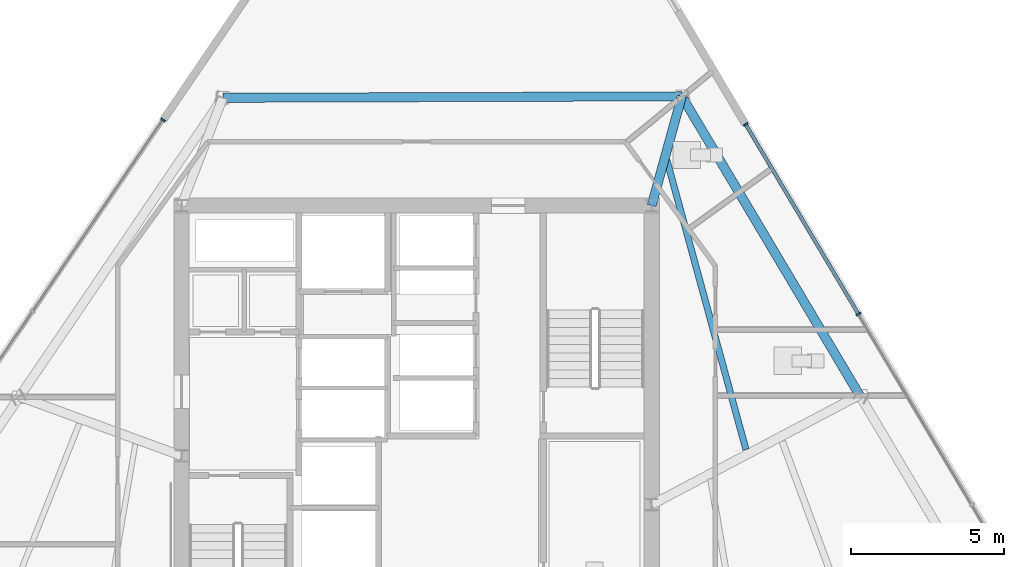
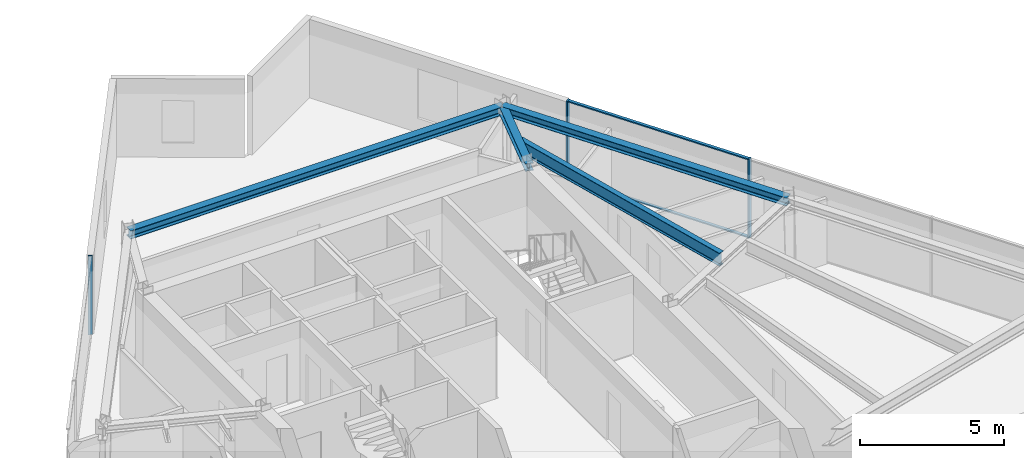
# One storey, part 6 of 13: 5 members, 4 beams, 2 elements without a shape of their own.
"""IFC4 building model written with IfcOpenShell, lengths in metres."""

from ifc_helpers import new_model, si_unit, direction, frame, origin, origin_2d, place, context, subcontext, project, spatial, rectangle, i_section, extrude, material, material_profile, profile_set, type_object, element, aggregate, save


model = new_model("IFC4")

# Units and contexts
model_context = context("Model", 3, precision=1e-05, world=origin(), true_north=direction((0.0, 1.0)))
body_context = subcontext(model_context, "Body", "Model", "MODEL_VIEW")
ifc_project = project(units=[si_unit("LENGTHUNIT", "METRE"), si_unit("AREAUNIT", "SQUARE_METRE"), si_unit("VOLUMEUNIT", "CUBIC_METRE"), si_unit("PLANEANGLEUNIT", "RADIAN"), si_unit("MASSUNIT", "GRAM", prefix="KILO")], contexts=[model_context])

# Site, building, storey
site_placement = place(None, origin())
site = spatial("IfcSite", under=ifc_project, at=site_placement, CompositionType="ELEMENT")
building_placement = place(site_placement, origin())
building = spatial("IfcBuilding", under=site, at=building_placement, Name="Savorim Split Tower", CompositionType="ELEMENT")
storey_placement = place(building_placement, frame((0.0, 0.0, 216.300048828125)))
storey = spatial("IfcBuildingStorey", under=building, at=storey_placement, Name="L57", CompositionType="ELEMENT", Elevation=216.300048828125)

# Beams
ifc_material_1 = material(Name="Steel S355", Category="steel")
ifc_material_profile_1 = material_profile(ifc_material_1, i_section(OverallWidth=0.2099609375, OverallDepth=0.550048828125, WebThickness=0.010986328125, FlangeThickness=0.01708984375, FilletRadius=0.02392578125, at=origin_2d()), Name="IPE 550")
ifc_profile_set_1 = profile_set([ifc_material_profile_1], Name="Steel S355")
beam_type_1 = type_object("IfcBeamType", Name="BM-JST-IPE550", PredefinedType="JOIST", material=ifc_profile_set_1)
beam_1_placement = place(storey_placement, frame((10.788818359375, 2.205078125, 3.074951171875), z_axis=(-0.263644717039, 0.964619854232, 0.0), x_axis=(-0.964619854232, -0.263644717039, 0.0)))
element("IfcBeam", 1, at=beam_1_placement, inside=storey, type_object=beam_type_1, Name="L57 Secondary Floor Joist JS-07", PredefinedType="JOIST", context=body_context, shape_type="SweptSolid", body=[
    extrude(i_section(OverallWidth=0.2099609375, OverallDepth=0.550048828125, WebThickness=0.010986328125, FlangeThickness=0.01708984375, FilletRadius=0.02392578125, at=origin_2d()), origin(), (0.0, 0.0, 1.0), 9.83251953125),
])
ifc_material_profile_2 = material_profile(ifc_material_1, i_section(OverallWidth=0.300048828125, OverallDepth=0.320068359375, WebThickness=0.011474609375, FlangeThickness=0.0205078125, FilletRadius=0.027099609375, at=origin_2d()), Name="HEB 320")
ifc_profile_set_2 = profile_set([ifc_material_profile_2], Name="Steel S355")
beam_type_2 = type_object("IfcBeamType", Name="BM-PRI-HEB320", PredefinedType="BEAM", material=ifc_profile_set_2)
beam_2_placement = place(storey_placement, frame((8.687744140625, 13.774169921875, 3.18994140625), z_axis=(-0.266380450151, -0.963867965946, 0.0), x_axis=(0.963867965946, -0.266380450151, 0.0)))
element("IfcBeam", 2, at=beam_2_placement, inside=storey, type_object=beam_type_2, Name="L57 Primary Floor Girder RG-07", PredefinedType="BEAM", context=body_context, shape_type="SweptSolid", body=[
    extrude(i_section(OverallWidth=0.300048828125, OverallDepth=0.320068359375, WebThickness=0.011474609375, FlangeThickness=0.0205078125, FilletRadius=0.027099609375, at=origin_2d()), origin(), (0.0, 0.0, 1.0), 3.708251953125),
])
ifc_material_profile_3 = material_profile(ifc_material_1, i_section(OverallWidth=0.300048828125, OverallDepth=0.35009765625, WebThickness=0.010009765625, FlangeThickness=0.017578125, FilletRadius=0.027099609375, at=origin_2d()), Name="HEA 360")
ifc_profile_set_3 = profile_set([ifc_material_profile_3], Name="Steel S355")
beam_type_3 = type_object("IfcBeamType", Name="BM-SPN-HEA360", PredefinedType="SPANDREL", material=ifc_profile_set_3)
beam_3_placement = place(storey_placement, frame((14.50634765625, 3.98876953125, 3.175048828125), z_axis=(-0.511092092584, 0.859525958246, 0.0), x_axis=(-0.859525958246, -0.511092092584, 0.0)))
element("IfcBeam", 3, at=beam_3_placement, inside=storey, type_object=beam_type_3, Name="L57 Perimeter Spandrel Beam 6", PredefinedType="SPANDREL", context=body_context, shape_type="SweptSolid", body=[
    extrude(i_section(OverallWidth=0.300048828125, OverallDepth=0.35009765625, WebThickness=0.010009765625, FlangeThickness=0.017578125, FilletRadius=0.027099609375, at=origin_2d()), origin(), (0.0, 0.0, 1.0), 11.384765625),
])
beam_4_placement = place(storey_placement, frame((8.687744140625, 13.774169921875, 3.175048828125), z_axis=(-0.999994724201, -0.003248318091, 0.0), x_axis=(0.003248318091, -0.999994724201, 0.0)))
element("IfcBeam", 4, at=beam_4_placement, inside=storey, type_object=beam_type_3, Name="L57 Perimeter Spandrel Beam 7", PredefinedType="SPANDREL", context=body_context, shape_type="SweptSolid", body=[
    extrude(i_section(OverallWidth=0.300048828125, OverallDepth=0.35009765625, WebThickness=0.010009765625, FlangeThickness=0.017578125, FilletRadius=0.027099609375, at=origin_2d()), origin(), (0.0, 0.0, 1.0), 15.03173828125),
])

# Curtain wall, members
ifc_material_2 = material(Name="Dark Ceramic-Fritted Insulated Glass", Category="glass")
curtain_wall_type = type_object("IfcCurtainWallType", Name="CW-TWR-FRIT-B", PredefinedType="NOTDEFINED", material=ifc_material_2)
curtain_wall_1_placement = place(storey_placement, origin())
curtain_wall_1 = element("IfcCurtainWall", 5, at=curtain_wall_1_placement, inside=storey, type_object=curtain_wall_type, Name="L57 Curtain Wall CW-L57-EAST", PredefinedType="NOTDEFINED")
ifc_material_3 = material(Name="Charcoal Anodised Aluminium", Category="aluminium")
ifc_material_profile_4 = material_profile(ifc_material_3, rectangle(XDim=0.159912109375, YDim=0.06005859375, at=origin_2d()), Name="ALU-M 160x60")
ifc_profile_set_4 = profile_set([ifc_material_profile_4], Name="Charcoal Anodised Aluminium")
member_type_1 = type_object("IfcMemberType", Name="CWM-160x60", PredefinedType="MULLION", material=ifc_profile_set_4)
member_1_placement = place(storey_placement, frame((14.473388671875, 6.641357421875, 0.0), z_axis=(0.0, 0.0, 1.0), x_axis=(-0.859525909056, -0.511092175308, 0.0)))
member_1 = element("IfcMember", 6, at=member_1_placement, type_object=member_type_1, Name="CW-03 mullion 4", PredefinedType="MULLION", context=body_context, shape_type="SweptSolid", body=[
    extrude(rectangle(XDim=0.159912109375, YDim=0.06005859375, at=origin_2d()), origin(), (0.0, 0.0, 1.0), 3.349853515625),
])
member_2_placement = place(storey_placement, frame((10.779296875, 12.853759765625, 0.0), z_axis=(0.0, 0.0, 1.0), x_axis=(-0.859525909056, -0.511092175308, 0.0)))
member_2 = element("IfcMember", 7, at=member_2_placement, type_object=member_type_1, Name="CW-03 mullion 5", PredefinedType="MULLION", context=body_context, shape_type="SweptSolid", body=[
    extrude(rectangle(XDim=0.159912109375, YDim=0.06005859375, at=origin_2d()), origin(), (0.0, 0.0, 1.0), 3.349853515625),
])

# Curtain wall, member
curtain_wall_2_placement = place(storey_placement, origin())
curtain_wall_2 = element("IfcCurtainWall", 8, at=curtain_wall_2_placement, inside=storey, type_object=curtain_wall_type, Name="L57 Curtain Wall CW-L57-WEST", PredefinedType="NOTDEFINED")
member_3_placement = place(storey_placement, frame((-8.30078125, 13.0009765625, 0.0), z_axis=(0.0, 0.0, 1.0), x_axis=(0.826820907104, -0.562465276773, 0.0)))
member_3 = element("IfcMember", 9, at=member_3_placement, type_object=member_type_1, Name="CW-03 mullion 1", PredefinedType="MULLION", context=body_context, shape_type="SweptSolid", body=[
    extrude(rectangle(XDim=0.159912109375, YDim=0.06005859375, at=origin_2d()), origin(), (0.0, 0.0, 1.0), 3.349853515625),
])
aggregate(curtain_wall_2, [member_3])

# Member
ifc_material_profile_5 = material_profile(ifc_material_3, rectangle(XDim=0.1201171875, YDim=0.050048828125, at=origin_2d()), Name="ALU-T 120x50")
ifc_profile_set_5 = profile_set([ifc_material_profile_5], Name="Charcoal Anodised Aluminium")
member_type_2 = type_object("IfcMemberType", Name="CWT-120x50", PredefinedType="USERDEFINED", material=ifc_profile_set_5)
member_4_placement = place(storey_placement, frame((14.4580078125, 6.667236328125, 0.02490234375), z_axis=(-0.511085594604, 0.859529822047, 0.0), x_axis=(-0.859529822047, -0.511085594604, 0.0)))
member_4 = element("IfcMember", 10, at=member_4_placement, type_object=member_type_2, Name="CW-03 transom 4.1", ObjectType="TRANSOM", PredefinedType="USERDEFINED", context=body_context, shape_type="SweptSolid", body=[
    extrude(rectangle(XDim=0.1201171875, YDim=0.050048828125, at=origin_2d()), origin(), (0.0, 0.0, 1.0), 7.167724609375),
])

member_5_placement = place(storey_placement, frame((14.4580078125, 6.667236328125, 3.324951171875), z_axis=(-0.511085594604, 0.859529822047, 0.0), x_axis=(-0.859529822047, -0.511085594604, 0.0)))
member_5 = element("IfcMember", 11, at=member_5_placement, type_object=member_type_2, Name="CW-03 transom 4.2", ObjectType="TRANSOM", PredefinedType="USERDEFINED", context=body_context, shape_type="SweptSolid", body=[
    extrude(rectangle(XDim=0.1201171875, YDim=0.050048828125, at=origin_2d()), origin(), (0.0, 0.0, 1.0), 7.167724609375),
])

aggregate(curtain_wall_1, [member_1, member_2, member_4, member_5])

save(model, "model.ifc")
